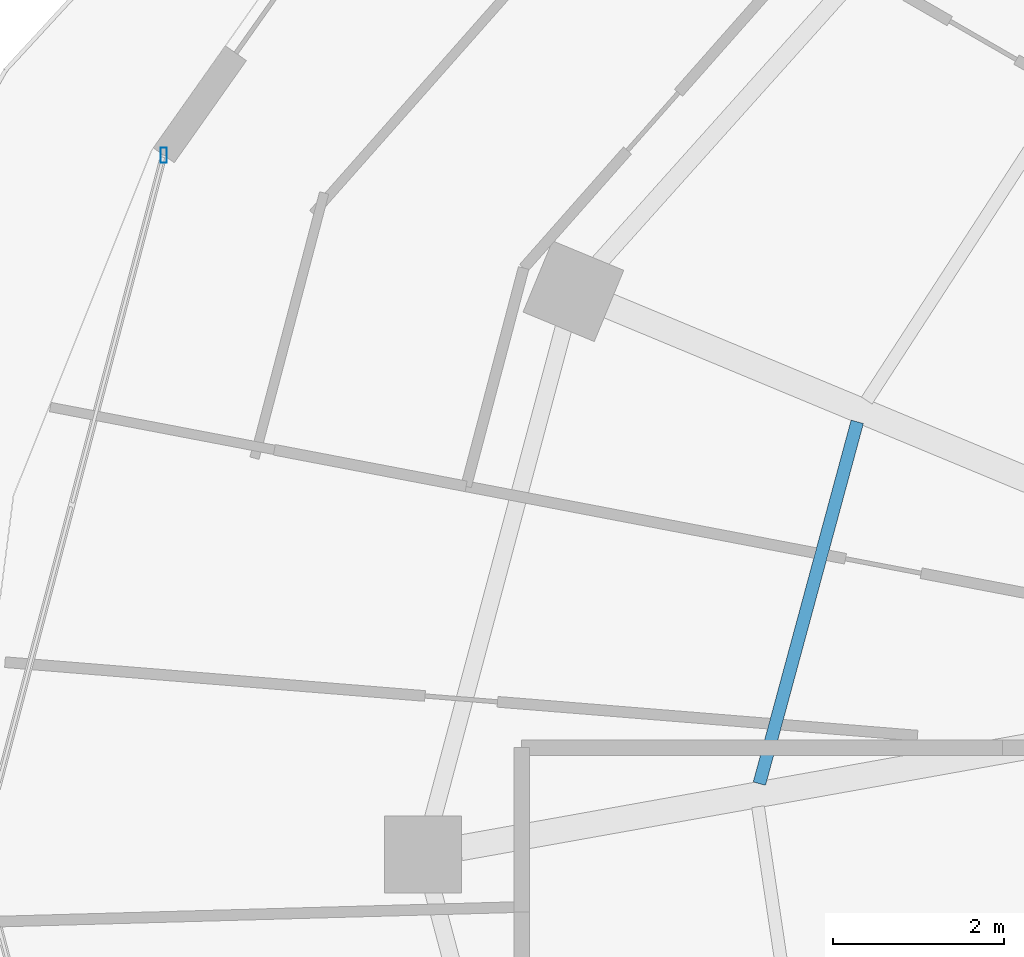
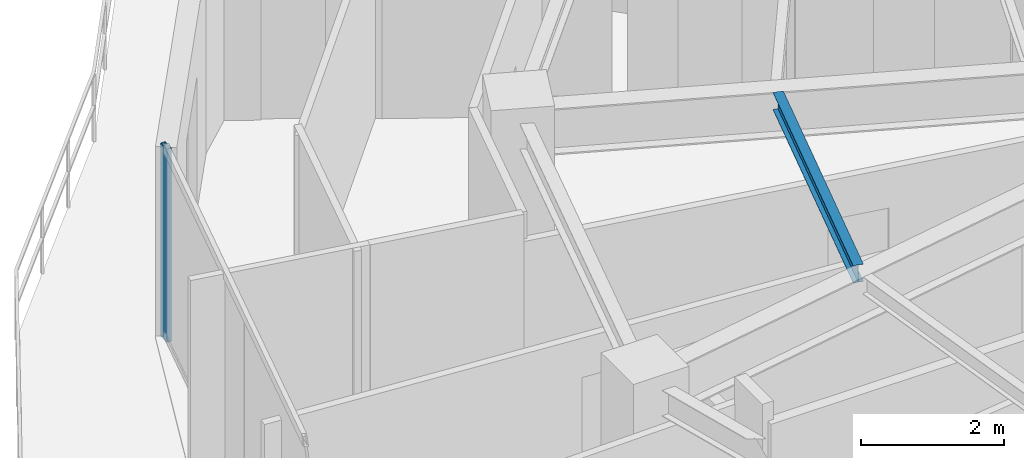
# One storey, part 9 of 33: 1 beam, 1 member, 1 element without a shape of its own.
"""IFC4 building model written with IfcOpenShell, lengths in metres."""

from ifc_helpers import new_model, si_unit, direction, frame, origin, origin_2d, place, context, subcontext, project, spatial, hollow_rectangle, i_section, extrude, material, material_profile, profile_set, type_object, element, aggregate, save


model = new_model("IFC4")

# Units and contexts
model_context = context("Model", 3, precision=1e-05, world=origin(), true_north=direction((0.0, 1.0)))
body_context = subcontext(model_context, "Body", "Model", "MODEL_VIEW")
ifc_project = project(units=[si_unit("LENGTHUNIT", "METRE"), si_unit("AREAUNIT", "SQUARE_METRE"), si_unit("VOLUMEUNIT", "CUBIC_METRE"), si_unit("PLANEANGLEUNIT", "RADIAN"), si_unit("MASSUNIT", "GRAM", prefix="KILO")], contexts=[model_context])

# Site, building, storey
site_placement = place(None, origin())
site = spatial("IfcSite", under=ifc_project, at=site_placement, CompositionType="ELEMENT")
building_placement = place(site_placement, origin())
building = spatial("IfcBuilding", under=site, at=building_placement, Name="Vorneva Point Tower", CompositionType="ELEMENT")
storey_placement = place(building_placement, frame((0.0, 0.0, 189.60009765625)))
storey = spatial("IfcBuildingStorey", under=building, at=storey_placement, Name="L51", CompositionType="ELEMENT", Elevation=189.60009765625)

# Beam
ifc_material_1 = material(Name="Steel S355", Category="steel")
ifc_material_profile_1 = material_profile(ifc_material_1, i_section(OverallWidth=0.14892578125, OverallDepth=0.298095703125, WebThickness=0.005615234375, FlangeThickness=0.008056640625, at=origin_2d()), Name="30B1")
ifc_profile_set_1 = profile_set([ifc_material_profile_1], Name="Steel S355")
beam_type = type_object("IfcBeamType", Name="BM-JST-30B1", PredefinedType="JOIST", material=ifc_profile_set_1)
beam_placement = place(storey_placement, frame((20.02099609375, 31.055908203125, 3.0908203125), z_axis=(-0.26115898647, -0.965295801185, 0.0), x_axis=(0.965295801185, -0.26115898647, 0.0)))
element("IfcBeam", 1, at=beam_placement, inside=storey, type_object=beam_type, Name="L51 Secondary Floor Beam 1.08", PredefinedType="JOIST", context=body_context, shape_type="SweptSolid", body=[
    extrude(i_section(OverallWidth=0.14892578125, OverallDepth=0.298095703125, WebThickness=0.005615234375, FlangeThickness=0.008056640625, at=origin_2d()), origin(), (0.0, 0.0, 1.0), 4.378662109375),
])

# Curtain wall, member
ifc_material_2 = material(Name="Pale anodised aluminium", Category="aluminium")
curtain_wall_type = type_object("IfcCurtainWallType", Name="CW-RES-SYS", PredefinedType="NOTDEFINED", material=ifc_material_2)
curtain_wall_placement = place(storey_placement, origin())
curtain_wall = element("IfcCurtainWall", 2, at=curtain_wall_placement, inside=storey, type_object=curtain_wall_type, Name="L51 Unitised Curtain Wall CW-L51-R03", PredefinedType="NOTDEFINED")
ifc_material_profile_2 = material_profile(ifc_material_2, hollow_rectangle(XDim=0.074951171875, YDim=0.179931640625, WallThickness=0.00390625, at=origin_2d()), Name="AL-MUL 180x75x4")
ifc_profile_set_2 = profile_set([ifc_material_profile_2], Name="Pale anodised aluminium")
member_type = type_object("IfcMemberType", Name="CW-MUL-180", PredefinedType="MULLION", material=ifc_profile_set_2)
member_placement = place(storey_placement, frame((11.9189453125, 34.17041015625, -0.0400390625), z_axis=(0.0, 0.0, 1.0), x_axis=(1.0, 0.0, 0.0)))
member = element("IfcMember", 3, at=member_placement, type_object=member_type, Name="CW-L51-R03 Mullion 01", PredefinedType="MULLION", context=body_context, shape_type="SweptSolid", body=[
    extrude(hollow_rectangle(XDim=0.074951171875, YDim=0.179931640625, WallThickness=0.00390625, at=origin_2d()), origin(), (0.0, 0.0, 1.0), 3.31005859375),
])
aggregate(curtain_wall, [member])

save(model, "model.ifc")
